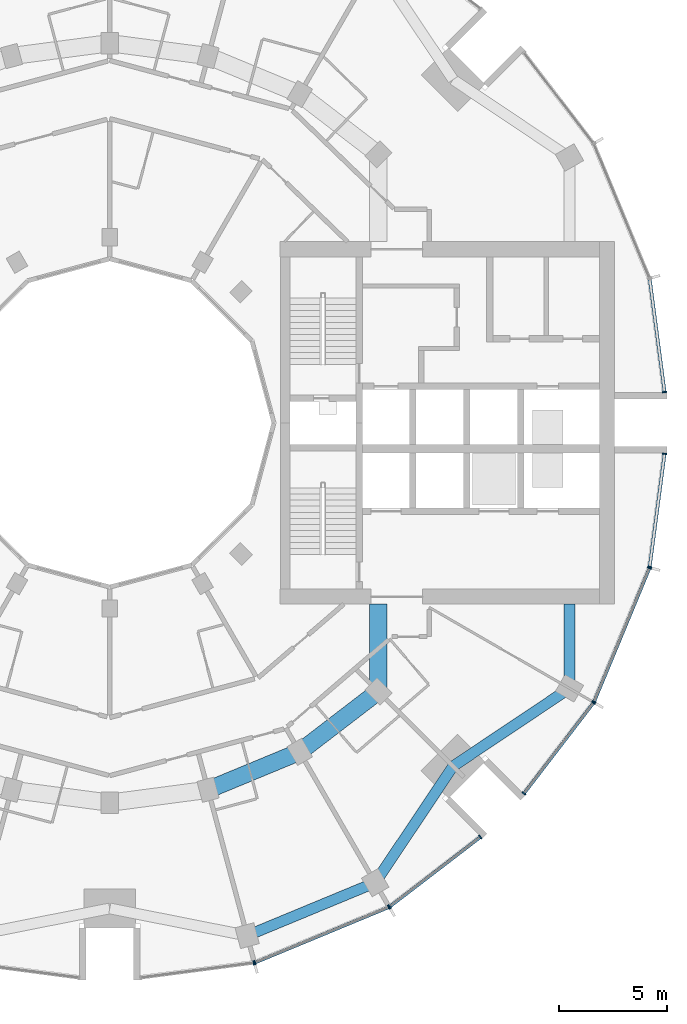
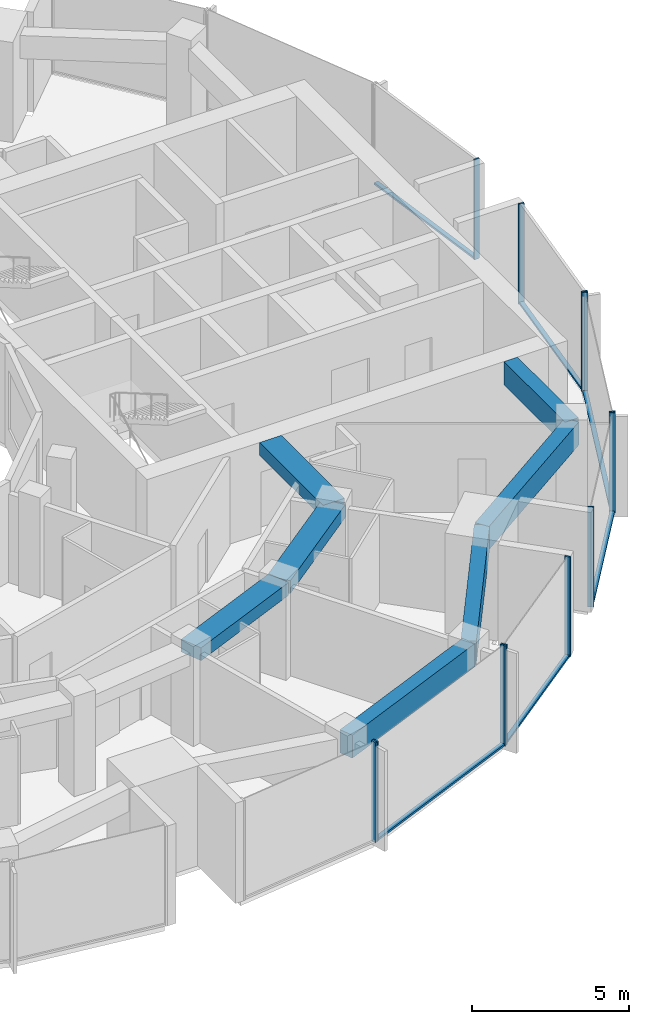
# One storey, part 4 of 15: 18 members, 7 beams, 7 elements without a shape of their own.
"""IFC4 building model written with IfcOpenShell, lengths in metres."""

from ifc_helpers import new_model, si_unit, direction, frame, origin, origin_2d, place, context, subcontext, project, spatial, rectangle, extrude, material, layer, layer_set, material_profile, profile_set, type_object, element, aggregate, save


model = new_model("IFC4")

# Units and contexts
model_context = context("Model", 3, precision=1e-05, world=origin(), true_north=direction((0.0, 1.0)))
body_context = subcontext(model_context, "Body", "Model", "MODEL_VIEW")
ifc_project = project(units=[si_unit("LENGTHUNIT", "METRE"), si_unit("AREAUNIT", "SQUARE_METRE"), si_unit("VOLUMEUNIT", "CUBIC_METRE"), si_unit("PLANEANGLEUNIT", "RADIAN"), si_unit("MASSUNIT", "GRAM", prefix="KILO")], contexts=[model_context])

# Site, building, storey
site_placement = place(None, origin())
site = spatial("IfcSite", under=ifc_project, at=site_placement, CompositionType="ELEMENT")
building_placement = place(site_placement, origin())
building = spatial("IfcBuilding", under=site, at=building_placement, Name="Torre Brocal", CompositionType="ELEMENT")
storey_placement = place(building_placement, frame((0.0, 0.0, 114.60009765625)))
storey = spatial("IfcBuildingStorey", under=building, at=storey_placement, Name="L26", CompositionType="ELEMENT", Elevation=114.60009765625)

# Curtain wall, member
ifc_material_1 = material(Name="Aluminium and glass", Category="aluminium")
ifc_layer_1 = layer(ifc_material_1, 0.199951171875)
ifc_layer_set_1 = layer_set([ifc_layer_1], Name="Aluminium and glass")
curtain_wall_type_1 = type_object("IfcCurtainWallType", Name="CW-1 CURTAIN WALL 3900 HIGH", PredefinedType="NOTDEFINED", material=ifc_layer_set_1)
curtain_wall_1_placement = place(storey_placement, origin())
curtain_wall_1 = element("IfcCurtainWall", 1, at=curtain_wall_1_placement, inside=storey, type_object=curtain_wall_type_1, Name="CW-1 RUN 19", PredefinedType="NOTDEFINED")
ifc_material_2 = material(Name="Aluminium, dark anodised", Category="aluminium")
ifc_material_profile_1 = material_profile(ifc_material_2, rectangle(XDim=0.199951171875, YDim=0.06005859375, at=origin_2d()), Name="CW-1 MULLION 60X200")
ifc_profile_set_1 = profile_set([ifc_material_profile_1], Name="Aluminium, dark anodised")
member_type_1 = type_object("IfcMemberType", Name="CW-1 MULLION 60X200", PredefinedType="MULLION", material=ifc_profile_set_1)
member_1_placement = place(storey_placement, frame((86.67333984375, 49.9794921875, 0.0), z_axis=(0.0, 0.0, 1.0), x_axis=(-0.13052619222, 0.991444861374, 0.0)))
member_1 = element("IfcMember", 2, at=member_1_placement, type_object=member_type_1, Name="CW1-3 mullion 2", PredefinedType="MULLION", context=body_context, shape_type="SweptSolid", body=[
    extrude(rectangle(XDim=0.199951171875, YDim=0.06005859375, at=origin_2d()), origin(), (0.0, 0.0, 1.0), 3.89990234375),
])
aggregate(curtain_wall_1, [member_1])

# Curtain wall, members
curtain_wall_2_placement = place(storey_placement, origin())
curtain_wall_2 = element("IfcCurtainWall", 3, at=curtain_wall_2_placement, inside=storey, type_object=curtain_wall_type_1, Name="CW-1 RUN 20", PredefinedType="NOTDEFINED")
member_2_placement = place(storey_placement, frame((86.73095703125, 49.994873046875, 0.0), z_axis=(0.0, 0.0, 1.0), x_axis=(-0.382683432333, 0.923879532525, 0.0)))
member_2 = element("IfcMember", 4, at=member_2_placement, type_object=member_type_1, Name="CW1-3 mullion 1", PredefinedType="MULLION", context=body_context, shape_type="SweptSolid", body=[
    extrude(rectangle(XDim=0.199951171875, YDim=0.06005859375, at=origin_2d()), origin(), (0.0, 0.0, 1.0), 3.89990234375),
])
member_3_placement = place(storey_placement, frame((92.921875, 52.559326171875, 0.0), z_axis=(0.0, 0.0, 1.0), x_axis=(-0.382683432333, 0.923879532525, 0.0)))
member_3 = element("IfcMember", 5, at=member_3_placement, type_object=member_type_1, Name="CW1-3 mullion 2", PredefinedType="MULLION", context=body_context, shape_type="SweptSolid", body=[
    extrude(rectangle(XDim=0.199951171875, YDim=0.06005859375, at=origin_2d()), origin(), (0.0, 0.0, 1.0), 3.89990234375),
])

curtain_wall_3_placement = place(storey_placement, origin())
curtain_wall_3 = element("IfcCurtainWall", 6, at=curtain_wall_3_placement, inside=storey, type_object=curtain_wall_type_1, Name="CW-1 RUN 21", PredefinedType="NOTDEFINED")
member_4_placement = place(storey_placement, frame((92.973388671875, 52.5888671875, 0.0), z_axis=(0.0, 0.0, 1.0), x_axis=(-0.60876142905, 0.793353340259, 0.0)))
member_4 = element("IfcMember", 7, at=member_4_placement, type_object=member_type_1, Name="CW1-3 mullion 1", PredefinedType="MULLION", context=body_context, shape_type="SweptSolid", body=[
    extrude(rectangle(XDim=0.199951171875, YDim=0.06005859375, at=origin_2d()), origin(), (0.0, 0.0, 1.0), 3.89990234375),
])
member_5_placement = place(storey_placement, frame((97.16943359375, 55.80859375, 0.0), z_axis=(0.0, 0.0, 1.0), x_axis=(-0.60876142905, 0.793353340259, 0.0)))
member_5 = element("IfcMember", 8, at=member_5_placement, type_object=member_type_1, Name="CW1-3 mullion 2", PredefinedType="MULLION", context=body_context, shape_type="SweptSolid", body=[
    extrude(rectangle(XDim=0.199951171875, YDim=0.06005859375, at=origin_2d()), origin(), (0.0, 0.0, 1.0), 3.89990234375),
])

curtain_wall_4_placement = place(storey_placement, origin())
curtain_wall_4 = element("IfcCurtainWall", 9, at=curtain_wall_4_placement, inside=storey, type_object=curtain_wall_type_1, Name="CW-1 RUN 22", PredefinedType="NOTDEFINED")
member_6_placement = place(storey_placement, frame((99.19140625, 57.83056640625, 0.0), z_axis=(0.0, 0.0, 1.0), x_axis=(-0.793353340259, 0.60876142905, 0.0)))
member_6 = element("IfcMember", 10, at=member_6_placement, type_object=member_type_1, Name="CW1-3 mullion 1", PredefinedType="MULLION", context=body_context, shape_type="SweptSolid", body=[
    extrude(rectangle(XDim=0.199951171875, YDim=0.06005859375, at=origin_2d()), origin(), (0.0, 0.0, 1.0), 3.89990234375),
])
member_7_placement = place(storey_placement, frame((102.4111328125, 62.026611328125, 0.0), z_axis=(0.0, 0.0, 1.0), x_axis=(-0.793353340259, 0.60876142905, 0.0)))
member_7 = element("IfcMember", 11, at=member_7_placement, type_object=member_type_1, Name="CW1-3 mullion 2", PredefinedType="MULLION", context=body_context, shape_type="SweptSolid", body=[
    extrude(rectangle(XDim=0.199951171875, YDim=0.06005859375, at=origin_2d()), origin(), (0.0, 0.0, 1.0), 3.89990234375),
])

curtain_wall_5_placement = place(storey_placement, origin())
curtain_wall_5 = element("IfcCurtainWall", 12, at=curtain_wall_5_placement, inside=storey, type_object=curtain_wall_type_1, Name="CW-1 RUN 23", PredefinedType="NOTDEFINED")
member_8_placement = place(storey_placement, frame((102.440673828125, 62.078125, 0.0), z_axis=(0.0, 0.0, 1.0), x_axis=(-0.923879532525, 0.382683432333, 0.0)))
member_8 = element("IfcMember", 13, at=member_8_placement, type_object=member_type_1, Name="CW1-3 mullion 1", PredefinedType="MULLION", context=body_context, shape_type="SweptSolid", body=[
    extrude(rectangle(XDim=0.199951171875, YDim=0.06005859375, at=origin_2d()), origin(), (0.0, 0.0, 1.0), 3.89990234375),
])
member_9_placement = place(storey_placement, frame((105.005126953125, 68.26904296875, 0.0), z_axis=(0.0, 0.0, 1.0), x_axis=(-0.923879532525, 0.382683432333, 0.0)))
member_9 = element("IfcMember", 14, at=member_9_placement, type_object=member_type_1, Name="CW1-3 mullion 2", PredefinedType="MULLION", context=body_context, shape_type="SweptSolid", body=[
    extrude(rectangle(XDim=0.199951171875, YDim=0.06005859375, at=origin_2d()), origin(), (0.0, 0.0, 1.0), 3.89990234375),
])

# Member
ifc_material_3 = material(Name="Aluminium, dark anodised", Category="aluminium")
ifc_material_profile_2 = material_profile(ifc_material_3, rectangle(XDim=0.159912109375, YDim=0.080078125, at=origin_2d()), Name="CW-1 TRANSOM 160X80")
ifc_profile_set_2 = profile_set([ifc_material_profile_2], Name="Aluminium, dark anodised")
member_type_2 = type_object("IfcMemberType", Name="CW-1 TRANSOM 160X80", PredefinedType="USERDEFINED", material=ifc_profile_set_2)
member_10_placement = place(storey_placement, frame((86.758544921875, 50.00634765625, 0.039794921875), z_axis=(0.923887344364, 0.38266457234, 0.0), x_axis=(-0.38266457234, 0.923887344364, 0.0)))
member_10 = element("IfcMember", 15, at=member_10_placement, type_object=member_type_2, Name="CW1-3 transom 1.1", ObjectType="TRANSOM", PredefinedType="USERDEFINED", context=body_context, shape_type="SweptSolid", body=[
    extrude(rectangle(XDim=0.159912109375, YDim=0.080078125, at=origin_2d()), origin(), (0.0, 0.0, 1.0), 6.640869140625),
])

aggregate(curtain_wall_2, [member_2, member_3, member_10])

member_11_placement = place(storey_placement, frame((92.9970703125, 52.607177734375, 0.039794921875), z_axis=(0.79336281513, 0.60874908096, 0.0), x_axis=(-0.60874908096, 0.79336281513, 0.0)))
member_11 = element("IfcMember", 16, at=member_11_placement, type_object=member_type_2, Name="CW1-3 transom 1.1", ObjectType="TRANSOM", PredefinedType="USERDEFINED", context=body_context, shape_type="SweptSolid", body=[
    extrude(rectangle(XDim=0.159912109375, YDim=0.080078125, at=origin_2d()), origin(), (0.0, 0.0, 1.0), 5.22900390625),
])

aggregate(curtain_wall_3, [member_4, member_5, member_11])

member_12_placement = place(storey_placement, frame((99.209716796875, 57.8544921875, 0.039794921875), z_axis=(0.60874908096, 0.79336281513, 0.0), x_axis=(-0.79336281513, 0.60874908096, 0.0)))
member_12 = element("IfcMember", 17, at=member_12_placement, type_object=member_type_2, Name="CW1-3 transom 1.1", ObjectType="TRANSOM", PredefinedType="USERDEFINED", context=body_context, shape_type="SweptSolid", body=[
    extrude(rectangle(XDim=0.159912109375, YDim=0.080078125, at=origin_2d()), origin(), (0.0, 0.0, 1.0), 5.22900390625),
])

aggregate(curtain_wall_4, [member_6, member_7, member_12])

member_13_placement = place(storey_placement, frame((102.452392578125, 62.10595703125, 0.039794921875), z_axis=(0.38266457234, 0.923887344364, 0.0), x_axis=(-0.923887344364, 0.38266457234, 0.0)))
member_13 = element("IfcMember", 18, at=member_13_placement, type_object=member_type_2, Name="CW1-3 transom 1.1", ObjectType="TRANSOM", PredefinedType="USERDEFINED", context=body_context, shape_type="SweptSolid", body=[
    extrude(rectangle(XDim=0.159912109375, YDim=0.080078125, at=origin_2d()), origin(), (0.0, 0.0, 1.0), 6.640869140625),
])

aggregate(curtain_wall_5, [member_8, member_9, member_13])

# Curtain wall, member
ifc_material_4 = material(Name="Aluminium and glass", Category="aluminium")
ifc_layer_2 = layer(ifc_material_4, 0.199951171875)
ifc_layer_set_2 = layer_set([ifc_layer_2], Name="Aluminium and glass")
curtain_wall_type_2 = type_object("IfcCurtainWallType", Name="CW-1B CURTAIN WALL 3900 HIGH", PredefinedType="NOTDEFINED", material=ifc_layer_set_2)
curtain_wall_6_placement = place(storey_placement, origin())
curtain_wall_6 = element("IfcCurtainWall", 19, at=curtain_wall_6_placement, inside=storey, type_object=curtain_wall_type_2, Name="CW-1B RUN 1", PredefinedType="NOTDEFINED")
ifc_material_5 = material(Name="Aluminium, dark anodised", Category="aluminium")
ifc_material_profile_3 = material_profile(ifc_material_5, rectangle(XDim=0.199951171875, YDim=0.06005859375, at=origin_2d()), Name="CW-1B MULLION 60X200")
ifc_profile_set_3 = profile_set([ifc_material_profile_3], Name="Aluminium, dark anodised")
member_type_3 = type_object("IfcMemberType", Name="CW-1B MULLION 60X200", PredefinedType="MULLION", material=ifc_profile_set_3)
member_14_placement = place(storey_placement, frame((105.7109375, 76.4296875, 0.0), z_axis=(0.0, 0.0, 1.0), x_axis=(-0.991444861374, -0.13052619222, 0.0)))
member_14 = element("IfcMember", 20, at=member_14_placement, type_object=member_type_3, Name="CW1B-3 mullion 1", PredefinedType="MULLION", context=body_context, shape_type="SweptSolid", body=[
    extrude(rectangle(XDim=0.199951171875, YDim=0.06005859375, at=origin_2d()), origin(), (0.0, 0.0, 1.0), 3.89990234375),
])

# Curtain wall, members
curtain_wall_7_placement = place(storey_placement, origin())
curtain_wall_7 = element("IfcCurtainWall", 21, at=curtain_wall_7_placement, inside=storey, type_object=curtain_wall_type_2, Name="CW-1B RUN 24", PredefinedType="NOTDEFINED")
member_15_placement = place(storey_placement, frame((105.0205078125, 68.32666015625, 0.0), z_axis=(0.0, 0.0, 1.0), x_axis=(-0.991444861374, 0.13052619222, 0.0)))
member_15 = element("IfcMember", 22, at=member_15_placement, type_object=member_type_3, Name="CW1B-3 mullion 1", PredefinedType="MULLION", context=body_context, shape_type="SweptSolid", body=[
    extrude(rectangle(XDim=0.199951171875, YDim=0.06005859375, at=origin_2d()), origin(), (0.0, 0.0, 1.0), 3.89990234375),
])
member_16_placement = place(storey_placement, frame((105.7109375, 73.5703125, 0.0), z_axis=(0.0, 0.0, 1.0), x_axis=(-0.991444861374, 0.13052619222, 0.0)))
member_16 = element("IfcMember", 23, at=member_16_placement, type_object=member_type_3, Name="CW1B-3 mullion 2", PredefinedType="MULLION", context=body_context, shape_type="SweptSolid", body=[
    extrude(rectangle(XDim=0.199951171875, YDim=0.06005859375, at=origin_2d()), origin(), (0.0, 0.0, 1.0), 3.89990234375),
])

# Member
ifc_material_6 = material(Name="Aluminium, dark anodised", Category="aluminium")
ifc_material_profile_4 = material_profile(ifc_material_6, rectangle(XDim=0.159912109375, YDim=0.080078125, at=origin_2d()), Name="CW-1B TRANSOM 160X80")
ifc_profile_set_4 = profile_set([ifc_material_profile_4], Name="Aluminium, dark anodised")
member_type_4 = type_object("IfcMemberType", Name="CW-1B TRANSOM 160X80", PredefinedType="USERDEFINED", material=ifc_profile_set_4)
member_17_placement = place(storey_placement, frame((105.70703125, 76.45947265625, 0.039794921875), z_axis=(-0.130542677827, 0.991442690863, 0.0), x_axis=(-0.991442690863, -0.130542677827, 0.0)))
member_17 = element("IfcMember", 24, at=member_17_placement, type_object=member_type_4, Name="CW1B-3 transom 1.1", ObjectType="TRANSOM", PredefinedType="USERDEFINED", context=body_context, shape_type="SweptSolid", body=[
    extrude(rectangle(XDim=0.159912109375, YDim=0.080078125, at=origin_2d()), origin(), (0.0, 0.0, 1.0), 5.22900390625),
])

aggregate(curtain_wall_6, [member_14, member_17])

member_18_placement = place(storey_placement, frame((105.0244140625, 68.356201171875, 0.039794921875), z_axis=(0.130542677827, 0.991442690863, 0.0), x_axis=(-0.991442690863, 0.130542677827, 0.0)))
member_18 = element("IfcMember", 25, at=member_18_placement, type_object=member_type_4, Name="CW1B-3 transom 1.1", ObjectType="TRANSOM", PredefinedType="USERDEFINED", context=body_context, shape_type="SweptSolid", body=[
    extrude(rectangle(XDim=0.159912109375, YDim=0.080078125, at=origin_2d()), origin(), (0.0, 0.0, 1.0), 5.22900390625),
])

aggregate(curtain_wall_7, [member_15, member_16, member_18])

# Beams
ifc_material_7 = material(Name="Concrete C50", Category="concrete")
ifc_material_profile_5 = material_profile(ifc_material_7, rectangle(XDim=0.800048828125, YDim=0.5, at=origin_2d()), Name="RC 800X500")
ifc_profile_set_5 = profile_set([ifc_material_profile_5], Name="Concrete C50")
beam_type_1 = type_object("IfcBeamType", Name="RC BEAM 800X500 C50 TOP 3580", PredefinedType="BEAM", material=ifc_profile_set_5)
beam_1_placement = place(storey_placement, frame((84.55517578125, 57.999755859375, 3.329833984375), z_axis=(0.923878240166, 0.382686552348, 0.0), x_axis=(-0.382686552348, 0.923878240166, 0.0)))
element("IfcBeam", 26, at=beam_1_placement, inside=storey, type_object=beam_type_1, Name="Beam BT-28", PredefinedType="BEAM", context=body_context, shape_type="SweptSolid", body=[
    extrude(rectangle(XDim=0.800048828125, YDim=0.5, at=origin_2d()), origin(), (0.0, 0.0, 1.0), 4.5947265625),
])
beam_2_placement = place(storey_placement, frame((88.800048828125, 59.758056640625, 3.329833984375), z_axis=(0.793358265959, 0.6087550097, 0.0), x_axis=(-0.6087550097, 0.793358265959, 0.0)))
element("IfcBeam", 27, at=beam_2_placement, inside=storey, type_object=beam_type_1, Name="Beam BT-28", PredefinedType="BEAM", context=body_context, shape_type="SweptSolid", body=[
    extrude(rectangle(XDim=0.800048828125, YDim=0.5, at=origin_2d()), origin(), (0.0, 0.0, 1.0), 4.594482421875),
])
beam_3_placement = place(storey_placement, frame((92.445068359375, 62.554931640625, 3.329833984375), z_axis=(0.0, 1.0, 0.0), x_axis=(-1.0, 0.0, 0.0)))
element("IfcBeam", 28, at=beam_3_placement, inside=storey, type_object=beam_type_1, Name="Beam BT-28", PredefinedType="BEAM", context=body_context, shape_type="SweptSolid", body=[
    extrude(rectangle(XDim=0.800048828125, YDim=0.5, at=origin_2d()), origin(), (0.0, 0.0, 1.0), 4.045166015625),
])
ifc_material_8 = material(Name="Concrete C50", Category="concrete")
ifc_material_profile_6 = material_profile(ifc_material_8, rectangle(XDim=0.5, YDim=0.89990234375, at=origin_2d()), Name="RC 500X900")
ifc_profile_set_6 = profile_set([ifc_material_profile_6], Name="Concrete C50")
beam_type_2 = type_object("IfcBeamType", Name="RC SPANDREL BEAM 500X900 C50 TOP 3580", PredefinedType="SPANDREL", material=ifc_profile_set_6)
beam_4_placement = place(storey_placement, frame((86.366943359375, 51.23828125, 3.1298828125), z_axis=(0.923882462513, 0.382676358639, 0.0), x_axis=(-0.382676358639, 0.923882462513, 0.0)))
element("IfcBeam", 29, at=beam_4_placement, inside=storey, type_object=beam_type_2, Name="Beam BT-29", PredefinedType="SPANDREL", context=body_context, shape_type="SweptSolid", body=[
    extrude(rectangle(XDim=0.5, YDim=0.89990234375, at=origin_2d()), origin(), (0.0, 0.0, 1.0), 6.421875),
])
for number, where, z_axis, x_axis, name in (
    (30, (92.300048828125, 53.69580078125, 3.1298828125), (0.556157602282, 0.831076844476, 0.0), (-0.831076844476, 0.556157602282, 0.0), "Beam BT-29"),
    (31, (95.909912109375, 59.090087890625, 3.1298828125), (0.831076844476, 0.556157602282, 0.0), (-0.556157602282, 0.831076844476, 0.0), "Beam BT-29"),
):
    element("IfcBeam", number, at=place(storey_placement, frame(where, z_axis=z_axis, x_axis=x_axis)), inside=storey, type_object=beam_type_2, Name=name, PredefinedType="SPANDREL", context=body_context, shape_type="SweptSolid", body=[
        extrude(rectangle(XDim=0.5, YDim=0.89990234375, at=origin_2d()), origin(), (0.0, 0.0, 1.0), 6.49072265625),
    ])
beam_5_placement = place(storey_placement, frame((101.30419921875, 62.699951171875, 3.1298828125), z_axis=(0.0, 1.0, 0.0), x_axis=(-1.0, 0.0, 0.0)))
element("IfcBeam", 32, at=beam_5_placement, inside=storey, type_object=beam_type_2, Name="Beam BT-29", PredefinedType="SPANDREL", context=body_context, shape_type="SweptSolid", body=[
    extrude(rectangle(XDim=0.5, YDim=0.89990234375, at=origin_2d()), origin(), (0.0, 0.0, 1.0), 3.900146484375),
])

save(model, "model.ifc")
